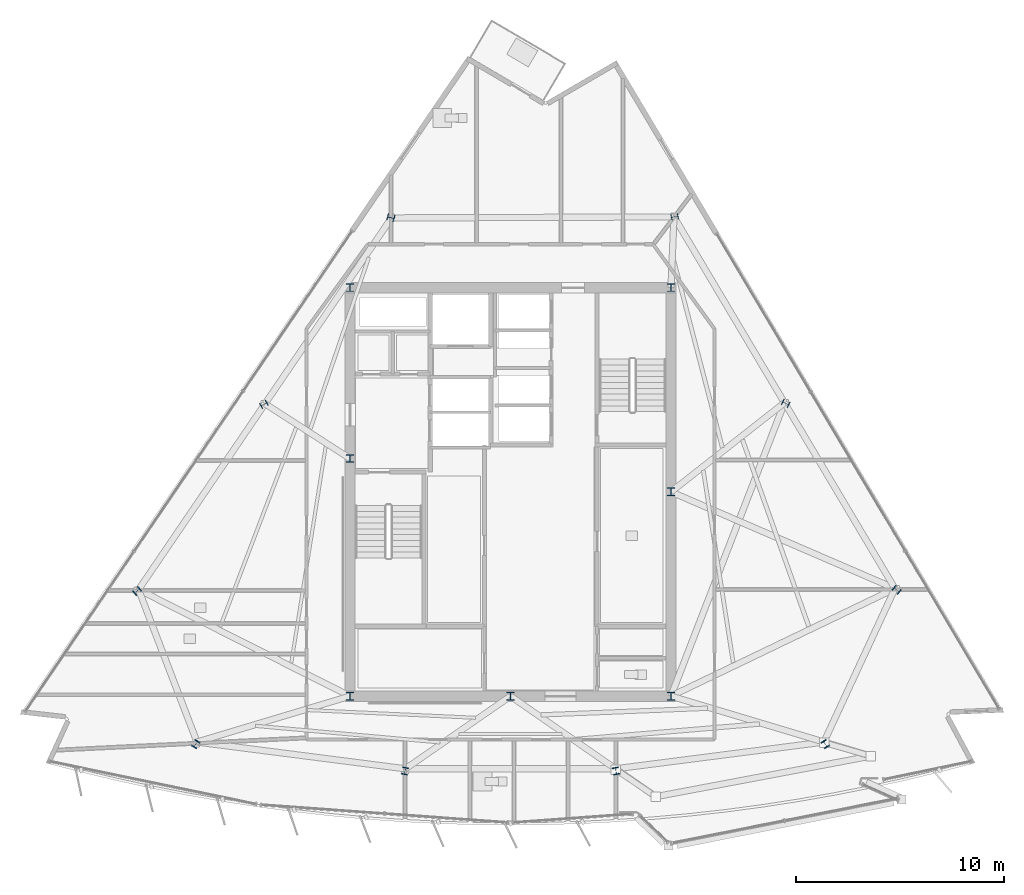
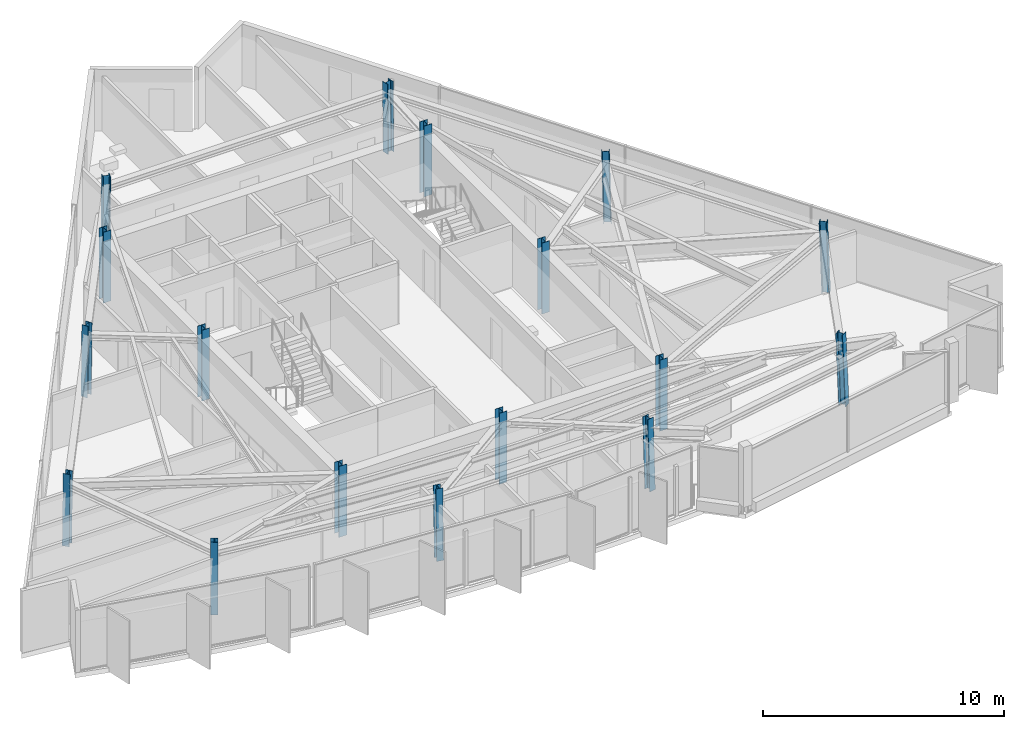
# One storey, part 1 of 13: 17 columns.
"""IFC4 building model written with IfcOpenShell, lengths in metres."""

from ifc_helpers import new_model, si_unit, direction, frame, origin, origin_2d, place, context, subcontext, project, spatial, i_section, extrude, material, material_profile, profile_set, type_object, element, save


model = new_model("IFC4")

# Units and contexts
model_context = context("Model", 3, precision=1e-05, world=origin(), true_north=direction((0.0, 1.0)))
body_context = subcontext(model_context, "Body", "Model", "MODEL_VIEW")
ifc_project = project(units=[si_unit("LENGTHUNIT", "METRE"), si_unit("AREAUNIT", "SQUARE_METRE"), si_unit("VOLUMEUNIT", "CUBIC_METRE"), si_unit("PLANEANGLEUNIT", "RADIAN"), si_unit("MASSUNIT", "GRAM", prefix="KILO")], contexts=[model_context])

# Site, building, storey
site_placement = place(None, origin())
site = spatial("IfcSite", under=ifc_project, at=site_placement, CompositionType="ELEMENT")
building_placement = place(site_placement, origin())
building = spatial("IfcBuilding", under=site, at=building_placement, Name="Savorim Split Tower", CompositionType="ELEMENT")
storey_placement = place(building_placement, frame((0.0, 0.0, 290.39990234375)))
storey = spatial("IfcBuildingStorey", under=building, at=storey_placement, Name="L77", CompositionType="ELEMENT", Elevation=290.39990234375)

# Columns
ifc_material = material(Name="Steel S355", Category="steel")
ifc_material_profile_1 = material_profile(ifc_material, i_section(OverallWidth=0.30908203125, OverallDepth=0.330078125, WebThickness=0.011474609375, FlangeThickness=0.01904296875, FilletRadius=0.027099609375, at=origin_2d()), Name="HD 320x158")
ifc_profile_set_1 = profile_set([ifc_material_profile_1], Name="Steel S355")
column_type_1 = type_object("IfcColumnType", Name="COL-HD-158", PredefinedType="COLUMN", material=ifc_profile_set_1)
column_1_placement = place(storey_placement, frame((-15.111083984375, -11.7216796875, 0.005615234375), z_axis=(0.020596339702, 0.033443561496, 0.99922836178), x_axis=(-0.851480003019, 0.52438707503, 0.0)))
element("IfcColumn", 1, at=column_1_placement, inside=storey, type_object=column_type_1, Name="L77 Tapered Perimeter Column PC-S1", PredefinedType="COLUMN", context=body_context, shape_type="SweptSolid", body=[
    extrude(i_section(OverallWidth=0.30908203125, OverallDepth=0.330078125, WebThickness=0.011474609375, FlangeThickness=0.01904296875, FilletRadius=0.027099609375, at=origin_2d()), origin(), (0.0, 0.0, 1.0), 3.591552734375),
])
for number, where, z_axis, x_axis, name in (
    (2, (-5.064697265625, -13.01171875, 0.005615234375), (0.006934288159, 0.035283289748, 0.999353293441), (-0.981229659911, 0.192842823335, 0.0), "L77 Tapered Perimeter Column PC-S2"),
    (3, (5.064697265625, -13.01171875, 0.005615234375), (-0.006934288159, 0.035283289748, 0.999353293441), (-0.981229659911, -0.192842823335, 0.0), "L77 Tapered Perimeter Column PC-S3"),
):
    element("IfcColumn", number, at=place(storey_placement, frame(where, z_axis=z_axis, x_axis=x_axis)), inside=storey, type_object=column_type_1, Name=name, PredefinedType="COLUMN", context=body_context, shape_type="SweptSolid", body=[
        extrude(i_section(OverallWidth=0.30908203125, OverallDepth=0.330078125, WebThickness=0.011474609375, FlangeThickness=0.01904296875, FilletRadius=0.027099609375, at=origin_2d()), origin(), (0.0, 0.0, 1.0), 3.59130859375),
    ])
column_2_placement = place(storey_placement, frame((15.111083984375, -11.7216796875, 0.005615234375), z_axis=(-0.020596339702, 0.033443561496, 0.99922836178), x_axis=(-0.851480003019, -0.52438707503, 0.0)))
element("IfcColumn", 4, at=column_2_placement, inside=storey, type_object=column_type_1, Name="L77 Tapered Perimeter Column PC-S4", PredefinedType="COLUMN", context=body_context, shape_type="SweptSolid", body=[
    extrude(i_section(OverallWidth=0.30908203125, OverallDepth=0.330078125, WebThickness=0.011474609375, FlangeThickness=0.01904296875, FilletRadius=0.027099609375, at=origin_2d()), origin(), (0.0, 0.0, 1.0), 3.591552734375),
])
column_3_placement = place(storey_placement, frame((18.539306640625, -4.317626953125, 0.005615234375), z_axis=(-0.026039494941, 0.021620259507, 0.999427090428), x_axis=(-0.638800249892, -0.769372628015, 0.0)))
element("IfcColumn", 5, at=column_3_placement, inside=storey, type_object=column_type_1, Name="L77 Tapered Perimeter Column PC-E1", PredefinedType="COLUMN", context=body_context, shape_type="SweptSolid", body=[
    extrude(i_section(OverallWidth=0.30908203125, OverallDepth=0.330078125, WebThickness=0.011474609375, FlangeThickness=0.01904296875, FilletRadius=0.027099609375, at=origin_2d()), origin(), (0.0, 0.0, 1.0), 3.5908203125),
])
column_4_placement = place(storey_placement, frame((13.212158203125, 4.641357421875, 0.005615234375), z_axis=(-0.018907326549, 0.00952167524, 0.999775900241), x_axis=(-0.449781931574, -0.893138406984, 0.0)))
element("IfcColumn", 6, at=column_4_placement, inside=storey, type_object=column_type_1, Name="L77 Tapered Perimeter Column PC-E2", PredefinedType="COLUMN", context=body_context, shape_type="SweptSolid", body=[
    extrude(i_section(OverallWidth=0.30908203125, OverallDepth=0.330078125, WebThickness=0.011474609375, FlangeThickness=0.01904296875, FilletRadius=0.027099609375, at=origin_2d()), origin(), (0.0, 0.0, 1.0), 3.589599609375),
])
for number, where, z_axis, x_axis, name in (
    (7, (7.885009765625, 13.60009765625, 0.005615234375), (-0.011699842352, -0.002516826552, 0.999928387072), (0.210305364179, -0.977635746993, 0.0), "L77 Tapered Perimeter Column PC-E3"),
    (8, (-5.741943359375, 13.551513671875, 0.005615234375), (0.008843162072, -0.002584924298, 0.999957557425), (0.280566991813, 0.959834445675, 0.0), "L77 Tapered Perimeter Column PC-W1"),
):
    element("IfcColumn", number, at=place(storey_placement, frame(where, z_axis=z_axis, x_axis=x_axis)), inside=storey, type_object=column_type_1, Name=name, PredefinedType="COLUMN", context=body_context, shape_type="SweptSolid", body=[
        extrude(i_section(OverallWidth=0.30908203125, OverallDepth=0.330078125, WebThickness=0.011474609375, FlangeThickness=0.01904296875, FilletRadius=0.027099609375, at=origin_2d()), origin(), (0.0, 0.0, 1.0), 3.589111328125),
    ])
column_5_placement = place(storey_placement, frame((-11.83642578125, 4.592529296875, 0.005615234375), z_axis=(0.017003572908, 0.009522000828, 0.999810086971), x_axis=(-0.488603368932, 0.87250601595, 0.0)))
element("IfcColumn", 9, at=column_5_placement, inside=storey, type_object=column_type_1, Name="L77 Tapered Perimeter Column PC-W2", PredefinedType="COLUMN", context=body_context, shape_type="SweptSolid", body=[
    extrude(i_section(OverallWidth=0.30908203125, OverallDepth=0.330078125, WebThickness=0.011474609375, FlangeThickness=0.01904296875, FilletRadius=0.027099609375, at=origin_2d()), origin(), (0.0, 0.0, 1.0), 3.589599609375),
])
column_6_placement = place(storey_placement, frame((-17.930908203125, -4.366455078125, 0.005615234375), z_axis=(0.025224163578, 0.021620711639, 0.999447990843), x_axis=(-0.650791373456, 0.759256602365, 0.0)))
element("IfcColumn", 10, at=column_6_placement, inside=storey, type_object=column_type_1, Name="L77 Tapered Perimeter Column PC-W3", PredefinedType="COLUMN", context=body_context, shape_type="SweptSolid", body=[
    extrude(i_section(OverallWidth=0.30908203125, OverallDepth=0.330078125, WebThickness=0.011474609375, FlangeThickness=0.01904296875, FilletRadius=0.027099609375, at=origin_2d()), origin(), (0.0, 0.0, 1.0), 3.5908203125),
])
ifc_material_profile_2 = material_profile(ifc_material, i_section(OverallWidth=0.3740234375, OverallDepth=0.3720703125, WebThickness=0.01220703125, FlangeThickness=0.02001953125, FilletRadius=0.014892578125, at=origin_2d()), Name="HD 360x196")
ifc_profile_set_2 = profile_set([ifc_material_profile_2], Name="Steel S355")
column_type_2 = type_object("IfcColumnType", Name="COL-HD-196", PredefinedType="COLUMN", material=ifc_profile_set_2)
for number, where, z_axis, x_axis, name in (
    (11, (-7.699951171875, -9.39990234375, 0.0), (0.0, 0.0, 1.0), (1.0, 0.0, 0.0), "L77 Core Structural Column TC-C1"),
    (12, (7.699951171875, -9.39990234375, 0.0), (0.0, 0.0, 1.0), (1.0, 0.0, 0.0), "L77 Core Structural Column TC-C2"),
    (13, (7.699951171875, 10.199951171875, 0.0), (0.0, 0.0, 1.0), (1.0, 0.0, 0.0), "L77 Core Structural Column TC-C3"),
    (14, (-7.699951171875, 10.199951171875, 0.0), (0.0, 0.0, 1.0), (1.0, 0.0, 0.0), "L77 Core Structural Column TC-C4"),
    (15, (0.0, -9.39990234375, 0.0), (0.0, 0.0, 1.0), (1.0, 0.0, 0.0), "L77 Core Structural Column TC-C5"),
    (16, (7.699951171875, 0.39990234375, 0.0), (0.0, 0.0, 1.0), (1.0, 0.0, 0.0), "L77 Core Structural Column TC-C6"),
    (17, (-7.699951171875, 2.0, 0.0), (0.0, 0.0, 1.0), (1.0, 0.0, 0.0), "L77 Core Structural Column TC-C7"),
):
    element("IfcColumn", number, at=place(storey_placement, frame(where, z_axis=z_axis, x_axis=x_axis)), inside=storey, type_object=column_type_2, Name=name, PredefinedType="COLUMN", context=body_context, shape_type="SweptSolid", body=[
        extrude(i_section(OverallWidth=0.3740234375, OverallDepth=0.3720703125, WebThickness=0.01220703125, FlangeThickness=0.02001953125, FilletRadius=0.014892578125, at=origin_2d()), origin(), (0.0, 0.0, 1.0), 3.60009765625),
    ])

save(model, "model.ifc")
